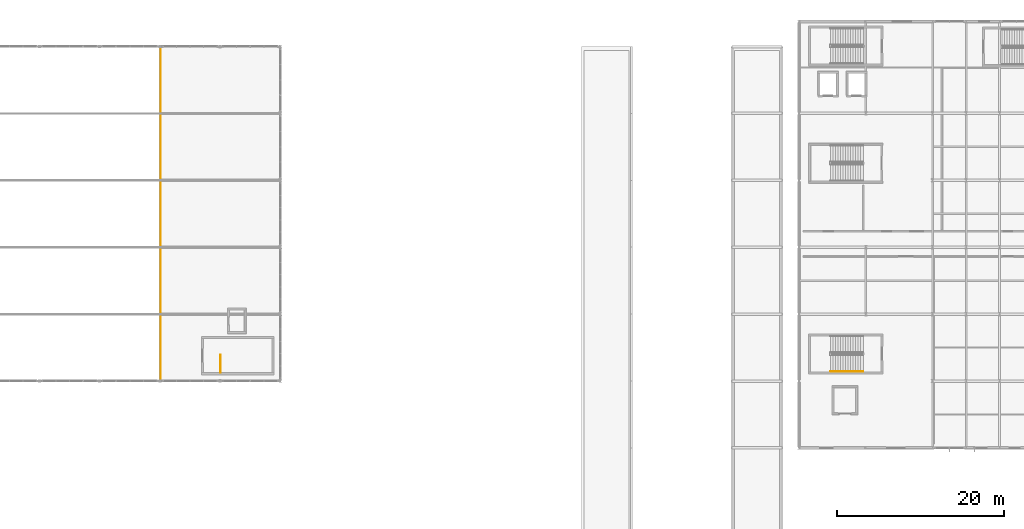
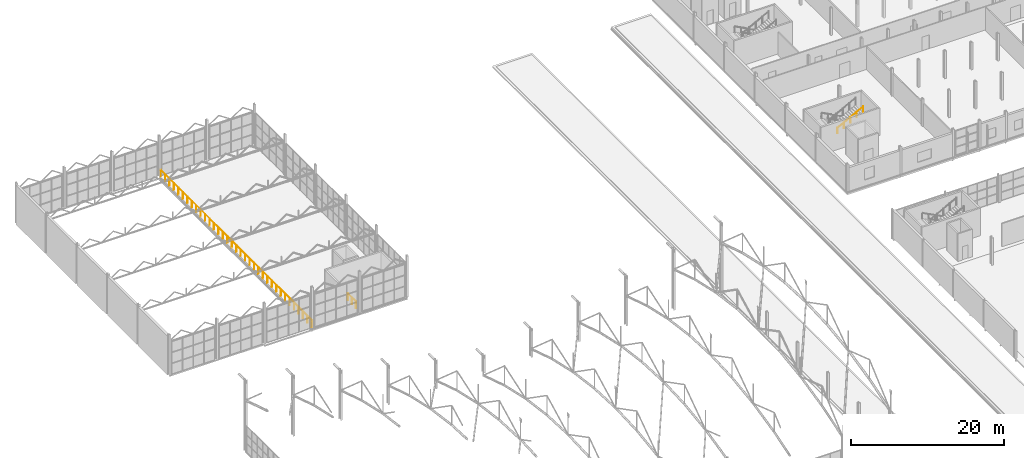
# One storey, part 147 of 153: 3 railings.
"""IFC4 building model written with IfcOpenShell, lengths in metres."""

from ifc_helpers import new_model, si_unit, derived_unit, direction, frame, origin, origin_2d, place, context, subcontext, project, spatial, circle, extrude, material, type_object, element, save


model = new_model("IFC4")

# Units and contexts
model_context = context("Model", 3, precision=1e-05, world=origin(), true_north=direction((0.0, 1.0)))
body_context = subcontext(model_context, "Body", "Model", "MODEL_VIEW")
ifc_project = project(units=[si_unit("LENGTHUNIT", "METRE"), si_unit("AREAUNIT", "SQUARE_METRE"), si_unit("VOLUMEUNIT", "CUBIC_METRE"), si_unit("PLANEANGLEUNIT", "RADIAN"), si_unit("MASSUNIT", "GRAM", prefix="KILO"), derived_unit("THERMALTRANSMITTANCEUNIT", [(si_unit("POWERUNIT", "WATT"), 1), (si_unit("LENGTHUNIT", "METRE"), -2), (si_unit("THERMODYNAMICTEMPERATUREUNIT", "KELVIN"), -1)])], contexts=[model_context])

# Site, building, storey
site_placement = place(None, origin())
site = spatial("IfcSite", under=ifc_project, at=site_placement, CompositionType="ELEMENT")
building_placement = place(site_placement, origin())
building = spatial("IfcBuilding", under=site, at=building_placement, Name="Keldorne Ridge Multi-Sports Centre", CompositionType="ELEMENT")
storey_placement = place(building_placement, frame((0.0, 0.0, 9.60009765625)))
storey = spatial("IfcBuildingStorey", under=building, at=storey_placement, Name="L02", CompositionType="ELEMENT", Elevation=9.60009765625)

# Railings
ifc_material_1 = material(Name="Laminated glass and stainless steel", Category="steel")
railing_type_1 = type_object("IfcRailingType", Name="RLG-BL-01", PredefinedType="BALUSTRADE", material=ifc_material_1)
railing_1_placement = place(storey_placement, frame((34.85009765625, 75.0, 0.0)))
element("IfcRailing", 1, at=railing_1_placement, inside=storey, type_object=railing_type_1, Name="L02 ST-06 top well guard 1", PredefinedType="BALUSTRADE", context=body_context, shape_type="SweptSolid", body=[
    extrude(circle(Radius=0.02392578125, at=origin_2d()), frame((0.0, 0.0, 1.076171875), z_axis=(0.0, 1.0, 0.0), x_axis=(-1.0, 0.0, 0.0)), (0.0, 0.0, 1.0), 2.1298828125),
    extrude(circle(Radius=0.02099609375, at=origin_2d()), origin(), (0.0, 0.0, 1.0), 1.052001953125),
    extrude(circle(Radius=0.02099609375, at=origin_2d()), frame((0.0, 1.06494140625, 0.0)), (0.0, 0.0, 1.0), 1.052001953125),
    extrude(circle(Radius=0.02099609375, at=origin_2d()), frame((0.0, 2.1298828125, 0.0)), (0.0, 0.0, 1.0), 1.052001953125),
])
railing_2_placement = place(storey_placement, frame((27.699951171875, 74.14990234375, 0.0)))
element("IfcRailing", 2, at=railing_2_placement, inside=storey, type_object=railing_type_1, Name="Safety balustrade RLG-V3-L02", PredefinedType="BALUSTRADE", context=body_context, shape_type="SweptSolid", body=[
    extrude(circle(Radius=0.02392578125, at=origin_2d()), frame((0.0, 0.0, 1.076171875), z_axis=(0.0, 1.0, 0.0), x_axis=(-1.0, 0.0, 0.0)), (0.0, 0.0, 1.0), 39.650146484375),
    extrude(circle(Radius=0.02099609375, at=origin_2d()), origin(), (0.0, 0.0, 1.0), 1.052001953125),
    extrude(circle(Radius=0.02099609375, at=origin_2d()), frame((0.0, 1.166259765625, 0.0)), (0.0, 0.0, 1.0), 1.052001953125),
    extrude(circle(Radius=0.02099609375, at=origin_2d()), frame((0.0, 2.332275390625, 0.0)), (0.0, 0.0, 1.0), 1.052001953125),
    extrude(circle(Radius=0.02099609375, at=origin_2d()), frame((0.0, 3.49853515625, 0.0)), (0.0, 0.0, 1.0), 1.052001953125),
    extrude(circle(Radius=0.02099609375, at=origin_2d()), frame((0.0, 4.664794921875, 0.0)), (0.0, 0.0, 1.0), 1.052001953125),
    extrude(circle(Radius=0.02099609375, at=origin_2d()), frame((0.0, 5.830810546875, 0.0)), (0.0, 0.0, 1.0), 1.052001953125),
    extrude(circle(Radius=0.02099609375, at=origin_2d()), frame((0.0, 6.9970703125, 0.0)), (0.0, 0.0, 1.0), 1.052001953125),
    extrude(circle(Radius=0.02099609375, at=origin_2d()), frame((0.0, 8.163330078125, 0.0)), (0.0, 0.0, 1.0), 1.052001953125),
    extrude(circle(Radius=0.02099609375, at=origin_2d()), frame((0.0, 9.329345703125, 0.0)), (0.0, 0.0, 1.0), 1.052001953125),
    extrude(circle(Radius=0.02099609375, at=origin_2d()), frame((0.0, 10.49560546875, 0.0)), (0.0, 0.0, 1.0), 1.052001953125),
    extrude(circle(Radius=0.02099609375, at=origin_2d()), frame((0.0, 11.661865234375, 0.0)), (0.0, 0.0, 1.0), 1.052001953125),
    extrude(circle(Radius=0.02099609375, at=origin_2d()), frame((0.0, 12.827880859375, 0.0)), (0.0, 0.0, 1.0), 1.052001953125),
    extrude(circle(Radius=0.02099609375, at=origin_2d()), frame((0.0, 13.994140625, 0.0)), (0.0, 0.0, 1.0), 1.052001953125),
    extrude(circle(Radius=0.02099609375, at=origin_2d()), frame((0.0, 15.160400390625, 0.0)), (0.0, 0.0, 1.0), 1.052001953125),
    extrude(circle(Radius=0.02099609375, at=origin_2d()), frame((0.0, 16.326416015625, 0.0)), (0.0, 0.0, 1.0), 1.052001953125),
    extrude(circle(Radius=0.02099609375, at=origin_2d()), frame((0.0, 17.49267578125, 0.0)), (0.0, 0.0, 1.0), 1.052001953125),
    extrude(circle(Radius=0.02099609375, at=origin_2d()), frame((0.0, 18.658935546875, 0.0)), (0.0, 0.0, 1.0), 1.052001953125),
    extrude(circle(Radius=0.02099609375, at=origin_2d()), frame((0.0, 19.8251953125, 0.0)), (0.0, 0.0, 1.0), 1.052001953125),
    extrude(circle(Radius=0.02099609375, at=origin_2d()), frame((0.0, 20.9912109375, 0.0)), (0.0, 0.0, 1.0), 1.052001953125),
    extrude(circle(Radius=0.02099609375, at=origin_2d()), frame((0.0, 22.157470703125, 0.0)), (0.0, 0.0, 1.0), 1.052001953125),
    extrude(circle(Radius=0.02099609375, at=origin_2d()), frame((0.0, 23.32373046875, 0.0)), (0.0, 0.0, 1.0), 1.052001953125),
    extrude(circle(Radius=0.02099609375, at=origin_2d()), frame((0.0, 24.48974609375, 0.0)), (0.0, 0.0, 1.0), 1.052001953125),
    extrude(circle(Radius=0.02099609375, at=origin_2d()), frame((0.0, 25.656005859375, 0.0)), (0.0, 0.0, 1.0), 1.052001953125),
    extrude(circle(Radius=0.02099609375, at=origin_2d()), frame((0.0, 26.822265625, 0.0)), (0.0, 0.0, 1.0), 1.052001953125),
    extrude(circle(Radius=0.02099609375, at=origin_2d()), frame((0.0, 27.98828125, 0.0)), (0.0, 0.0, 1.0), 1.052001953125),
    extrude(circle(Radius=0.02099609375, at=origin_2d()), frame((0.0, 29.154541015625, 0.0)), (0.0, 0.0, 1.0), 1.052001953125),
    extrude(circle(Radius=0.02099609375, at=origin_2d()), frame((0.0, 30.32080078125, 0.0)), (0.0, 0.0, 1.0), 1.052001953125),
    extrude(circle(Radius=0.02099609375, at=origin_2d()), frame((0.0, 31.48681640625, 0.0)), (0.0, 0.0, 1.0), 1.052001953125),
    extrude(circle(Radius=0.02099609375, at=origin_2d()), frame((0.0, 32.653076171875, 0.0)), (0.0, 0.0, 1.0), 1.052001953125),
    extrude(circle(Radius=0.02099609375, at=origin_2d()), frame((0.0, 33.8193359375, 0.0)), (0.0, 0.0, 1.0), 1.052001953125),
    extrude(circle(Radius=0.02099609375, at=origin_2d()), frame((0.0, 34.9853515625, 0.0)), (0.0, 0.0, 1.0), 1.052001953125),
    extrude(circle(Radius=0.02099609375, at=origin_2d()), frame((0.0, 36.151611328125, 0.0)), (0.0, 0.0, 1.0), 1.052001953125),
    extrude(circle(Radius=0.02099609375, at=origin_2d()), frame((0.0, 37.31787109375, 0.0)), (0.0, 0.0, 1.0), 1.052001953125),
    extrude(circle(Radius=0.02099609375, at=origin_2d()), frame((0.0, 38.48388671875, 0.0)), (0.0, 0.0, 1.0), 1.052001953125),
    extrude(circle(Radius=0.02099609375, at=origin_2d()), frame((0.0, 39.650146484375, 0.0)), (0.0, 0.0, 1.0), 1.052001953125),
])
ifc_material_2 = material(Name="Stainless steel", Category="steel")
railing_type_2 = type_object("IfcRailingType", Name="RLG-HR-01", PredefinedType="HANDRAIL", material=ifc_material_2)
railing_3_placement = place(storey_placement, frame((107.800048828125, 75.14990234375, 2.35693359375)))
element("IfcRailing", 3, at=railing_3_placement, inside=storey, type_object=railing_type_2, Name="L02 ST-02 stair handrail 2", PredefinedType="HANDRAIL", context=body_context, shape_type="SweptSolid", body=[
    extrude(circle(Radius=0.02392578125, at=origin_2d()), frame((0.0, 0.0, 0.8759765625), z_axis=(0.885816339326, 0.0, 0.464036003974), x_axis=(0.0, 1.0, 0.0)), (0.0, 0.0, 1.0), 4.402587890625),
    extrude(circle(Radius=0.02099609375, at=origin_2d()), origin(), (0.0, 0.0, 1.0), 0.851806640625),
    extrude(circle(Radius=0.02099609375, at=origin_2d()), frame((0.97509765625, 0.0, 0.5107421875)), (0.0, 0.0, 1.0), 0.851806640625),
    extrude(circle(Radius=0.02099609375, at=origin_2d()), frame((1.949951171875, 0.0, 1.021484375)), (0.0, 0.0, 1.0), 0.851806640625),
    extrude(circle(Radius=0.02099609375, at=origin_2d()), frame((2.9248046875, 0.0, 1.5322265625)), (0.0, 0.0, 1.0), 0.851806640625),
    extrude(circle(Radius=0.02099609375, at=origin_2d()), frame((3.89990234375, 0.0, 2.04296875)), (0.0, 0.0, 1.0), 0.851806640625),
])

save(model, "model.ifc")
